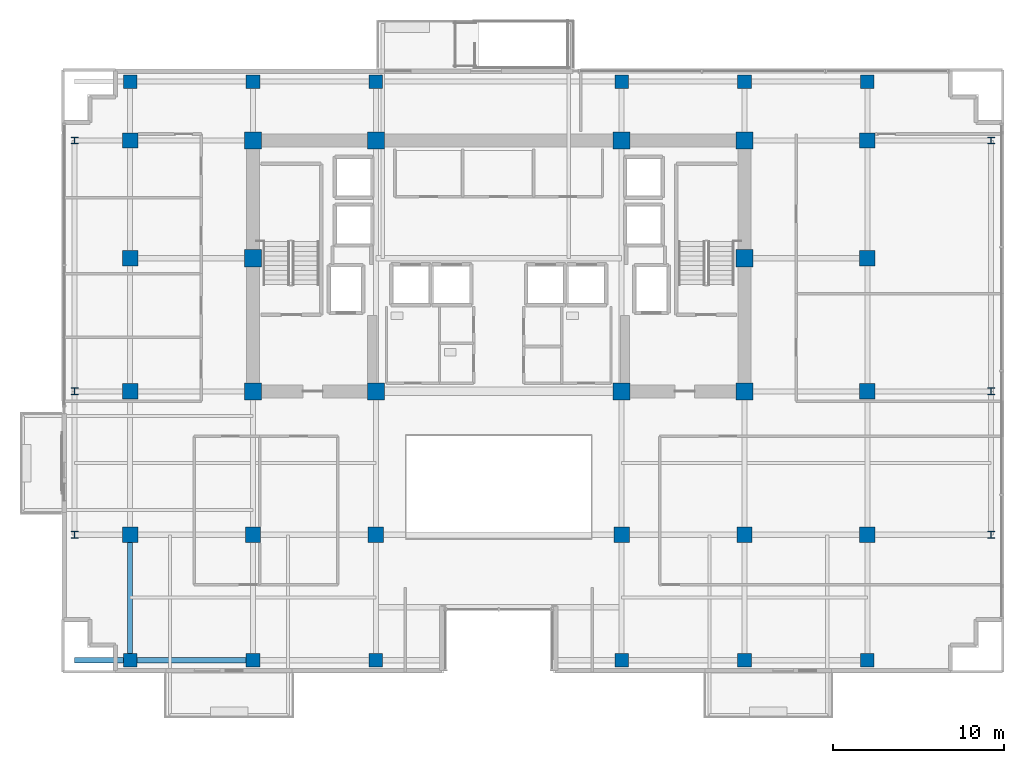
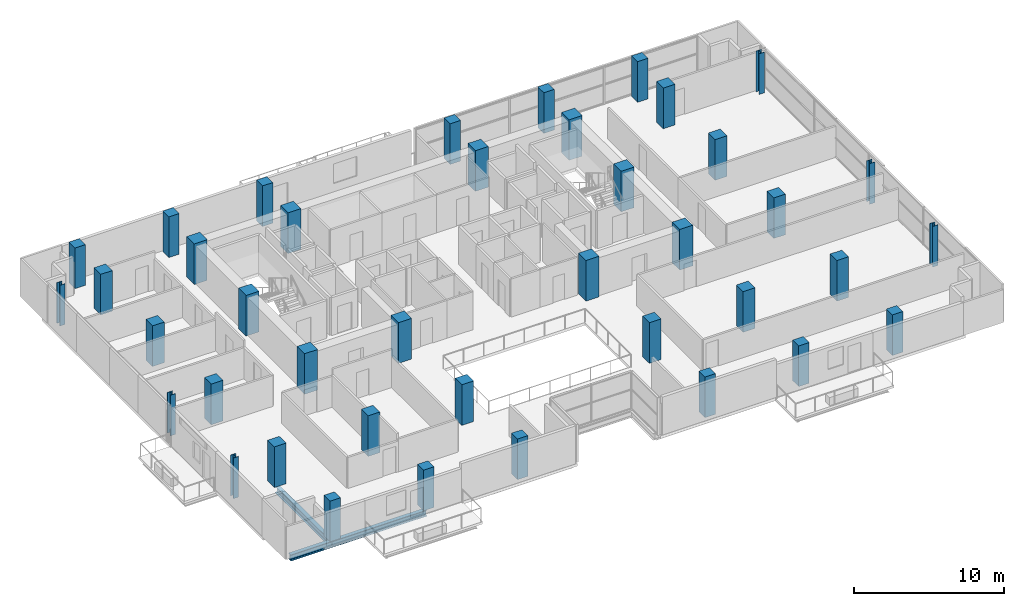
# One storey, part 1 of 23: 40 columns, 3 beams.
"""IFC4 building model written with IfcOpenShell, lengths in metres."""

import ifcopenshell
import ifcopenshell.guid

model = None  # the IFC model being written
_history = None  # IfcOwnerHistory: only IFC2X3 demands one
_inside = {}  # id of a spatial element -> (the spatial element, [elements in it])
_under = {}  # id of a project, library or spatial element -> (it, [spatial elements below it])
_declared = {}  # id of a project -> (the project, [libraries it declares])
_typed = {}  # id of a type object -> (the type object, [elements of that type])
_made_of = {}  # id of a material, layer set ... -> (it, [elements and type objects made of it])


def new_model(schema):
    """Start an empty IFC model of exactly this schema.

    Asked for "IFC4X3", IfcOpenShell would pick the latest addendum, in which some entities
    have other attributes; the version numbers below select the first issue.
    IFC2X3 requires an IfcOwnerHistory on every rooted entity: one is made here for all.
    """
    global model, _history
    if schema == "IFC4X3":
        model = ifcopenshell.file(schema_version=(4, 3, 0, 0))
    else:
        model = ifcopenshell.file(schema=schema)
    _inside.clear()
    _under.clear()
    _declared.clear()
    _typed.clear()
    _made_of.clear()
    _history = None
    if model.schema == "IFC2X3":
        org = make("IfcOrganization", Name="unknown")
        user = make(
            "IfcPersonAndOrganization",
            ThePerson=make("IfcPerson", FamilyName="unknown"),
            TheOrganization=org,
        )
        app = make(
            "IfcApplication",
            ApplicationDeveloper=org,
            Version="unknown",
            ApplicationFullName="unknown",
            ApplicationIdentifier="unknown",
        )
        _history = make(
            "IfcOwnerHistory",
            OwningUser=user,
            OwningApplication=app,
            ChangeAction="ADDED",
            CreationDate=0,
        )
    return model


def make(cls, **values):
    """One entity of the class cls with the attributes given. An attribute that is None is left unset."""
    return model.create_entity(
        cls, **{name: value for name, value in values.items() if value is not None}
    )


def rooted(cls, **values):
    """An entity with a GlobalId (a new one), such as an element, a storey or a relation."""
    return make(cls, GlobalId=ifcopenshell.guid.new(), OwnerHistory=_history, **values)


def si_unit(unit_type, name, prefix=None):
    """IfcSIUnit, for example si_unit("LENGTHUNIT", "METRE", prefix="MILLI")."""
    return make("IfcSIUnit", UnitType=unit_type, Prefix=prefix, Name=name)


def assignment(units):
    """IfcUnitAssignment: the units of a project."""
    return None if units is None else make("IfcUnitAssignment", Units=units)


def point(xyz):
    """IfcCartesianPoint."""
    return None if xyz is None else make("IfcCartesianPoint", Coordinates=xyz)


def direction(xyz):
    """IfcDirection."""
    return None if xyz is None else make("IfcDirection", DirectionRatios=xyz)


def frame(location, z_axis=None, x_axis=None):
    """IfcAxis2Placement3D, a coordinate frame: its origin and axes. An axis left out is left unset."""
    return make(
        "IfcAxis2Placement3D",
        Location=point(location),
        Axis=direction(z_axis),
        RefDirection=direction(x_axis),
    )


def frame_2d(location, x_axis=None):
    """IfcAxis2Placement2D, a coordinate frame in the plane: its origin and x axis."""
    return make(
        "IfcAxis2Placement2D", Location=point(location), RefDirection=direction(x_axis)
    )


def origin():
    """The frame at (0, 0, 0) with its axes left unset."""
    return frame((0.0, 0.0, 0.0))


def origin_2d():
    """The frame at (0, 0) in the plane with its x axis left unset."""
    return frame_2d((0.0, 0.0))


def place(relative_to, where):
    """IfcLocalPlacement: puts the frame where relative to a parent placement (None: the world)."""
    return make(
        "IfcLocalPlacement", PlacementRelTo=relative_to, RelativePlacement=where
    )


def context(
    kind, dimensions, precision=None, world=None, true_north=None, identifier=None
):
    """IfcGeometricRepresentationContext, for example the 3D "Model" context."""
    return make(
        "IfcGeometricRepresentationContext",
        ContextIdentifier=identifier,
        ContextType=kind,
        CoordinateSpaceDimension=dimensions,
        Precision=precision,
        WorldCoordinateSystem=world,
        TrueNorth=true_north,
    )


def subcontext(parent, identifier, kind, view, scale=None):
    """IfcGeometricRepresentationSubContext, for example "Body" below "Model"."""
    return make(
        "IfcGeometricRepresentationSubContext",
        ContextIdentifier=identifier,
        ContextType=kind,
        ParentContext=parent,
        TargetScale=scale,
        TargetView=view,
    )


def project(units=None, contexts=None):
    """IfcProject with its units and contexts."""
    return rooted(
        "IfcProject",
        Name="project",
        RepresentationContexts=contexts,
        UnitsInContext=assignment(units),
    )


def spatial(cls, under=None, at=None, **own):
    """A site, building, storey or space (cls), placed at a placement, below another one or the project."""
    s = rooted(cls, ObjectPlacement=at, **own)
    if under is not None:
        _under.setdefault(under.id(), (under, []))[1].append(s)
    return s


def profile(cls, at=None, kind="AREA", **sizes):
    """A parametric profile (cls). Its sizes go by their IFC names, for example OverallWidth=200.0."""
    return make(cls, ProfileType=kind, Position=at, **sizes)


def rectangle(**sizes):
    """IfcRectangleProfileDef."""
    return profile("IfcRectangleProfileDef", **sizes)


def i_section(**sizes):
    """IfcIShapeProfileDef."""
    return profile("IfcIShapeProfileDef", **sizes)


def extrude(swept, where, along, depth):
    """IfcExtrudedAreaSolid: the profile swept, set in the frame where, extruded along a direction by depth."""
    return make(
        "IfcExtrudedAreaSolid",
        SweptArea=swept,
        Position=where,
        ExtrudedDirection=direction(along),
        Depth=depth,
    )


def shape(context_of_items, identifier, shape_type, items):
    """IfcShapeRepresentation: the items that make up one representation, for example the "Body"."""
    return make(
        "IfcShapeRepresentation",
        ContextOfItems=context_of_items,
        RepresentationIdentifier=identifier,
        RepresentationType=shape_type,
        Items=items,
    )


def material(Name=None, Category=None):
    """IfcMaterial."""
    return make("IfcMaterial", Name=Name, Category=Category)


def material_profile(
    of_material, cross_section, Name=None, Category=None, Priority=None
):
    """IfcMaterialProfile: a cross section and its material."""
    return make(
        "IfcMaterialProfile",
        Name=Name,
        Material=of_material,
        Profile=cross_section,
        Priority=Priority,
        Category=Category,
    )


def profile_set(profiles, Name=None, composite=None):
    """IfcMaterialProfileSet."""
    return make(
        "IfcMaterialProfileSet",
        Name=Name,
        MaterialProfiles=profiles,
        CompositeProfile=composite,
    )


def made_of(thing, what):
    """Note that an element or type object is made of a material, layer set ...; save() writes the relation."""
    if what is not None:
        _made_of.setdefault(what.id(), (what, []))[1].append(thing)
    return thing


def type_object(cls, material=None, **own):
    """A type object (cls), such as IfcWallType, which elements share."""
    return made_of(rooted(cls, **own), material)


def element(
    cls,
    number,
    at=None,
    inside=None,
    cuts=None,
    type_object=None,
    material=None,
    context=None,
    identifier="Body",
    shape_type=None,
    held_by="IfcProductDefinitionShape",
    body=None,
    shapes=None,
    **own,
):
    """One element of the class cls, such as IfcWall. Its Tag is "e" and its number.

    at: its placement. inside: the storey or other place that contains it. cuts: it is an
    opening in that element (IfcRelVoidsElement). A single representation is given by context,
    identifier, shape_type and body (its items); several are given by shapes. held_by: the class
    of the entity that holds the representations. save() writes the other relations.
    """
    e = rooted(cls, Tag="e%d" % number, ObjectPlacement=at, **own)
    if body is not None:
        shapes = [shape(context, identifier, shape_type, body)]
    if shapes is not None:
        e.Representation = make(held_by, Representations=shapes)
    if inside is not None:
        _inside.setdefault(inside.id(), (inside, []))[1].append(e)
    if cuts is not None:
        rooted(
            "IfcRelVoidsElement", RelatingBuildingElement=cuts, RelatedOpeningElement=e
        )
    if type_object is not None:
        _typed.setdefault(type_object.id(), (type_object, []))[1].append(e)
    return made_of(e, material)


def aggregate(whole, parts):
    """IfcRelAggregates: a whole, such as a stair, and the parts it consists of."""
    return rooted("IfcRelAggregates", RelatingObject=whole, RelatedObjects=parts)


def save(model, path):
    """Write the relations noted so far, then the file.

    IfcRelAggregates (storeys below a building ...), IfcRelContainedInSpatialStructure (elements
    in a storey), IfcRelDefinesByType, IfcRelAssociatesMaterial and IfcRelDeclares: one each for
    every whole, place, type object, material and project.
    """
    for whole, parts in _under.values():
        aggregate(whole, parts)
    for where, things in _inside.values():
        rooted(
            "IfcRelContainedInSpatialStructure",
            RelatedElements=things,
            RelatingStructure=where,
        )
    for kind, things in _typed.values():
        rooted("IfcRelDefinesByType", RelatedObjects=things, RelatingType=kind)
    for what, things in _made_of.values():
        rooted("IfcRelAssociatesMaterial", RelatedObjects=things, RelatingMaterial=what)
    for by, libraries in _declared.values():
        rooted("IfcRelDeclares", RelatingContext=by, RelatedDefinitions=libraries)
    model.write(path)


model = new_model("IFC4")

# Units and contexts
model_context = context("Model", 3, precision=1e-05, world=origin(), true_north=direction((0.0, 1.0)))
body_context = subcontext(model_context, "Body", "Model", "MODEL_VIEW")
ifc_project = project(units=[si_unit("LENGTHUNIT", "METRE"), si_unit("AREAUNIT", "SQUARE_METRE"), si_unit("VOLUMEUNIT", "CUBIC_METRE"), si_unit("PLANEANGLEUNIT", "RADIAN"), si_unit("MASSUNIT", "GRAM", prefix="KILO")], contexts=[model_context])

# Site, building, storey
site_placement = place(None, origin())
site = spatial("IfcSite", under=ifc_project, at=site_placement, CompositionType="ELEMENT")
building_placement = place(site_placement, origin())
building = spatial("IfcBuilding", under=site, at=building_placement, Name="Zarnakvel Exchange Tower", CompositionType="ELEMENT")
storey_placement = place(building_placement, frame((0.0, 0.0, 116.5)))
storey = spatial("IfcBuildingStorey", under=building, at=storey_placement, Name="L32", CompositionType="ELEMENT", Elevation=116.5)

# Columns
ifc_material_1 = material(Name="Concrete C60/75", Category="concrete")
ifc_material_profile_1 = material_profile(ifc_material_1, rectangle(XDim=1.0, YDim=1.0, at=origin_2d()))
ifc_profile_set_1 = profile_set([ifc_material_profile_1], Name="Concrete C60/75")
column_type_1 = type_object("IfcColumnType", Name="CC-02", PredefinedType="COLUMN", material=ifc_profile_set_1)
for number, where, z_axis, x_axis, name in (
    (1, (-14.39990234375, -1.199951171875, 0.0), (0.0, 0.0, 1.0), (1.0, 0.0, 0.0), "L32 Column C-4D (CC-02)"),
    (2, (-7.199951171875, -1.199951171875, 0.0), (0.0, 0.0, 1.0), (1.0, 0.0, 0.0), "L32 Column C-5D (CC-02)"),
    (3, (7.199951171875, -1.199951171875, 0.0), (0.0, 0.0, 1.0), (1.0, 0.0, 0.0), "L32 Column C-8D (CC-02)"),
    (4, (14.39990234375, -1.199951171875, 0.0), (0.0, 0.0, 1.0), (1.0, 0.0, 0.0), "L32 Column C-9D (CC-02)"),
    (5, (-14.39990234375, 6.60009765625, 0.0), (0.0, 0.0, 1.0), (1.0, 0.0, 0.0), "L32 Column C-4E (CC-02)"),
    (6, (14.39990234375, 6.60009765625, 0.0), (0.0, 0.0, 1.0), (1.0, 0.0, 0.0), "L32 Column C-9E (CC-02)"),
    (7, (-14.39990234375, 13.5, 0.0), (0.0, 0.0, 1.0), (1.0, 0.0, 0.0), "L32 Column C-4F (CC-02)"),
    (8, (-7.199951171875, 13.5, 0.0), (0.0, 0.0, 1.0), (1.0, 0.0, 0.0), "L32 Column C-5F (CC-02)"),
    (9, (7.199951171875, 13.5, 0.0), (0.0, 0.0, 1.0), (1.0, 0.0, 0.0), "L32 Column C-8F (CC-02)"),
    (10, (14.39990234375, 13.5, 0.0), (0.0, 0.0, 1.0), (1.0, 0.0, 0.0), "L32 Column C-9F (CC-02)"),
):
    element("IfcColumn", number, at=place(storey_placement, frame(where, z_axis=z_axis, x_axis=x_axis)), inside=storey, type_object=column_type_1, Name=name, PredefinedType="COLUMN", context=body_context, shape_type="SweptSolid", body=[
        extrude(rectangle(XDim=1.0, YDim=1.0, at=origin_2d()), origin(), (0.0, 0.0, 1.0), 3.300048828125),
    ])
ifc_material_2 = material(Name="Steel S355", Category="steel")
ifc_material_profile_2 = material_profile(ifc_material_2, i_section(OverallWidth=0.404052734375, OverallDepth=0.406982421875, WebThickness=0.0224609375, FlangeThickness=0.031982421875, FilletRadius=0.014892578125, at=origin_2d()))
ifc_profile_set_2 = profile_set([ifc_material_profile_2], Name="Steel S355")
column_type_2 = type_object("IfcColumnType", Name="SC-02", PredefinedType="COLUMN", material=ifc_profile_set_2)
for number, where, z_axis, x_axis, name in (
    (11, (-24.85009765625, -9.60009765625, 0.0), (0.0, 0.0, 1.0), (1.0, 0.0, 0.0), "L32 Column TW-C (SC-02)"),
    (12, (28.85009765625, -9.60009765625, 0.0), (0.0, 0.0, 1.0), (1.0, 0.0, 0.0), "L32 Column TE-C (SC-02)"),
    (13, (-24.85009765625, -1.199951171875, 0.0), (0.0, 0.0, 1.0), (1.0, 0.0, 0.0), "L32 Column TW-D (SC-02)"),
    (14, (28.85009765625, -1.199951171875, 0.0), (0.0, 0.0, 1.0), (1.0, 0.0, 0.0), "L32 Column TE-D (SC-02)"),
    (15, (-24.85009765625, 13.5, 0.0), (0.0, 0.0, 1.0), (1.0, 0.0, 0.0), "L32 Column TW-F (SC-02)"),
    (16, (28.85009765625, 13.5, 0.0), (0.0, 0.0, 1.0), (1.0, 0.0, 0.0), "L32 Column TE-F (SC-02)"),
):
    element("IfcColumn", number, at=place(storey_placement, frame(where, z_axis=z_axis, x_axis=x_axis)), inside=storey, type_object=column_type_2, Name=name, PredefinedType="COLUMN", context=body_context, shape_type="SweptSolid", body=[
        extrude(i_section(OverallWidth=0.404052734375, OverallDepth=0.406982421875, WebThickness=0.0224609375, FlangeThickness=0.031982421875, FilletRadius=0.014892578125, at=origin_2d()), origin(), (0.0, 0.0, 1.0), 3.300048828125),
    ])
ifc_material_profile_3 = material_profile(ifc_material_1, rectangle(XDim=0.89990234375, YDim=0.89990234375, at=origin_2d()))
ifc_profile_set_3 = profile_set([ifc_material_profile_3], Name="Concrete C60/75")
column_type_3 = type_object("IfcColumnType", Name="TC-02", PredefinedType="COLUMN", material=ifc_profile_set_3)
for number, where, z_axis, x_axis, name in (
    (17, (-14.39990234375, -9.60009765625, 0.0), (0.0, 0.0, 1.0), (1.0, 0.0, 0.0), "L32 Column T-4C (TC-02)"),
    (18, (-7.199951171875, -9.60009765625, 0.0), (0.0, 0.0, 1.0), (1.0, 0.0, 0.0), "L32 Column T-5C (TC-02)"),
    (19, (7.199951171875, -9.60009765625, 0.0), (0.0, 0.0, 1.0), (1.0, 0.0, 0.0), "L32 Column T-8C (TC-02)"),
    (20, (14.39990234375, -9.60009765625, 0.0), (0.0, 0.0, 1.0), (1.0, 0.0, 0.0), "L32 Column T-9C (TC-02)"),
    (21, (-21.60009765625, -9.60009765625, 0.0), (0.0, 0.0, 1.0), (1.0, 0.0, 0.0), "L32 Column T-3C (TC-02)"),
    (22, (-21.60009765625, -1.199951171875, 0.0), (0.0, 0.0, 1.0), (1.0, 0.0, 0.0), "L32 Column T-3D (TC-02)"),
    (23, (-21.60009765625, 6.60009765625, 0.0), (0.0, 0.0, 1.0), (1.0, 0.0, 0.0), "L32 Column T-3E (TC-02)"),
    (24, (-21.60009765625, 13.5, 0.0), (0.0, 0.0, 1.0), (1.0, 0.0, 0.0), "L32 Column T-3F (TC-02)"),
    (25, (21.60009765625, -9.60009765625, 0.0), (0.0, 0.0, 1.0), (1.0, 0.0, 0.0), "L32 Column T-10C (TC-02)"),
    (26, (21.60009765625, -1.199951171875, 0.0), (0.0, 0.0, 1.0), (1.0, 0.0, 0.0), "L32 Column T-10D (TC-02)"),
    (27, (21.60009765625, 6.60009765625, 0.0), (0.0, 0.0, 1.0), (1.0, 0.0, 0.0), "L32 Column T-10E (TC-02)"),
    (28, (21.60009765625, 13.5, 0.0), (0.0, 0.0, 1.0), (1.0, 0.0, 0.0), "L32 Column T-10F (TC-02)"),
):
    element("IfcColumn", number, at=place(storey_placement, frame(where, z_axis=z_axis, x_axis=x_axis)), inside=storey, type_object=column_type_3, Name=name, PredefinedType="COLUMN", context=body_context, shape_type="SweptSolid", body=[
        extrude(rectangle(XDim=0.89990234375, YDim=0.89990234375, at=origin_2d()), origin(), (0.0, 0.0, 1.0), 3.300048828125),
    ])
ifc_material_profile_4 = material_profile(ifc_material_1, rectangle(XDim=0.800048828125, YDim=0.800048828125, at=origin_2d()))
ifc_profile_set_4 = profile_set([ifc_material_profile_4], Name="Concrete C60/75")
column_type_4 = type_object("IfcColumnType", Name="TC-03", PredefinedType="COLUMN", material=ifc_profile_set_4)
for number, where, z_axis, x_axis, name in (
    (29, (-14.39990234375, -16.949951171875, 0.0), (0.0, 0.0, 1.0), (1.0, 0.0, 0.0), "L32 Column TS-4 (TC-03)"),
    (30, (-14.39990234375, 16.949951171875, 0.0), (0.0, 0.0, 1.0), (1.0, 0.0, 0.0), "L32 Column TN-4 (TC-03)"),
    (31, (-7.199951171875, -16.949951171875, 0.0), (0.0, 0.0, 1.0), (1.0, 0.0, 0.0), "L32 Column TS-5 (TC-03)"),
    (32, (-7.199951171875, 16.949951171875, 0.0), (0.0, 0.0, 1.0), (1.0, 0.0, 0.0), "L32 Column TN-5 (TC-03)"),
    (33, (7.199951171875, -16.949951171875, 0.0), (0.0, 0.0, 1.0), (1.0, 0.0, 0.0), "L32 Column TS-8 (TC-03)"),
    (34, (7.199951171875, 16.949951171875, 0.0), (0.0, 0.0, 1.0), (1.0, 0.0, 0.0), "L32 Column TN-8 (TC-03)"),
    (35, (14.39990234375, -16.949951171875, 0.0), (0.0, 0.0, 1.0), (1.0, 0.0, 0.0), "L32 Column TS-9 (TC-03)"),
    (36, (14.39990234375, 16.949951171875, 0.0), (0.0, 0.0, 1.0), (1.0, 0.0, 0.0), "L32 Column TN-9 (TC-03)"),
    (37, (-21.60009765625, -16.949951171875, 0.0), (0.0, 0.0, 1.0), (1.0, 0.0, 0.0), "L32 Column TS-3 (TC-03)"),
    (38, (-21.60009765625, 16.949951171875, 0.0), (0.0, 0.0, 1.0), (1.0, 0.0, 0.0), "L32 Column TN-3 (TC-03)"),
    (39, (21.60009765625, -16.949951171875, 0.0), (0.0, 0.0, 1.0), (1.0, 0.0, 0.0), "L32 Column TS-10 (TC-03)"),
    (40, (21.60009765625, 16.949951171875, 0.0), (0.0, 0.0, 1.0), (1.0, 0.0, 0.0), "L32 Column TN-10 (TC-03)"),
):
    element("IfcColumn", number, at=place(storey_placement, frame(where, z_axis=z_axis, x_axis=x_axis)), inside=storey, type_object=column_type_4, Name=name, PredefinedType="COLUMN", context=body_context, shape_type="SweptSolid", body=[
        extrude(rectangle(XDim=0.800048828125, YDim=0.800048828125, at=origin_2d()), origin(), (0.0, 0.0, 1.0), 3.300048828125),
    ])

# Beams
ifc_material_profile_5 = material_profile(ifc_material_2, i_section(OverallWidth=0.300048828125, OverallDepth=0.550048828125, WebThickness=0.014892578125, FlangeThickness=0.029052734375, FilletRadius=0.027099609375, at=origin_2d()))
ifc_profile_set_5 = profile_set([ifc_material_profile_5], Name="Steel S355")
beam_type_1 = type_object("IfcBeamType", Name="G-05", PredefinedType="BEAM", material=ifc_profile_set_5)
beam_1_placement = place(storey_placement, frame((-21.60009765625, -16.949951171875, -0.5), z_axis=(0.0, 1.0, 0.0), x_axis=(-1.0, 0.0, 0.0)))
element("IfcBeam", 41, at=beam_1_placement, inside=storey, type_object=beam_type_1, Name="L32 Tower N-S Frame Beam", PredefinedType="BEAM", context=body_context, shape_type="SweptSolid", body=[
    extrude(i_section(OverallWidth=0.300048828125, OverallDepth=0.550048828125, WebThickness=0.014892578125, FlangeThickness=0.029052734375, FilletRadius=0.027099609375, at=origin_2d()), origin(), (0.0, 0.0, 1.0), 7.349853515625),
])
ifc_material_profile_6 = material_profile(ifc_material_2, i_section(OverallWidth=0.300048828125, OverallDepth=0.5, WebThickness=0.014404296875, FlangeThickness=0.028076171875, FilletRadius=0.027099609375, at=origin_2d()))
ifc_profile_set_6 = profile_set([ifc_material_profile_6], Name="Steel S355")
beam_type_2 = type_object("IfcBeamType", Name="SP-02", PredefinedType="SPANDREL", material=ifc_profile_set_6)
beam_2_placement = place(storey_placement, frame((-21.60009765625, -16.949951171875, -0.47509765625), z_axis=(1.0, 0.0, 0.0), x_axis=(0.0, 1.0, 0.0)))
element("IfcBeam", 42, at=beam_2_placement, inside=storey, type_object=beam_type_2, Name="L32 Tower E-W Frame Beam", PredefinedType="SPANDREL", context=body_context, shape_type="SweptSolid", body=[
    extrude(i_section(OverallWidth=0.300048828125, OverallDepth=0.5, WebThickness=0.014404296875, FlangeThickness=0.028076171875, FilletRadius=0.027099609375, at=origin_2d()), origin(), (0.0, 0.0, 1.0), 7.2001953125),
])
beam_3_placement = place(storey_placement, frame((-24.85009765625, -16.949951171875, -0.47509765625), z_axis=(1.0, 0.0, 0.0), x_axis=(0.0, 1.0, 0.0)))
element("IfcBeam", 43, at=beam_3_placement, inside=storey, type_object=beam_type_2, Name="L32 South-West Corner Spandrel", PredefinedType="SPANDREL", context=body_context, shape_type="SweptSolid", body=[
    extrude(i_section(OverallWidth=0.300048828125, OverallDepth=0.5, WebThickness=0.014404296875, FlangeThickness=0.028076171875, FilletRadius=0.027099609375, at=origin_2d()), origin(), (0.0, 0.0, 1.0), 3.25),
])

save(model, "model.ifc")
